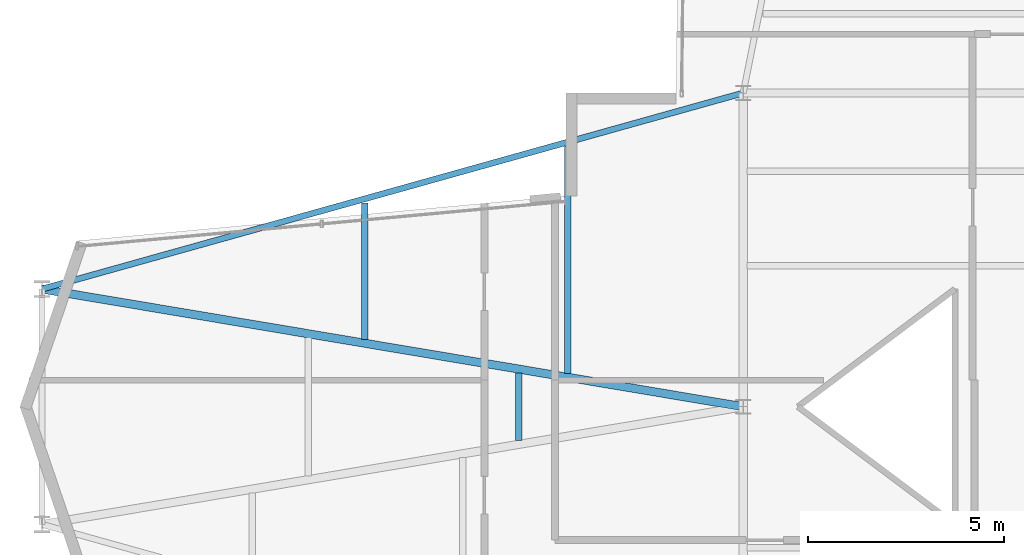
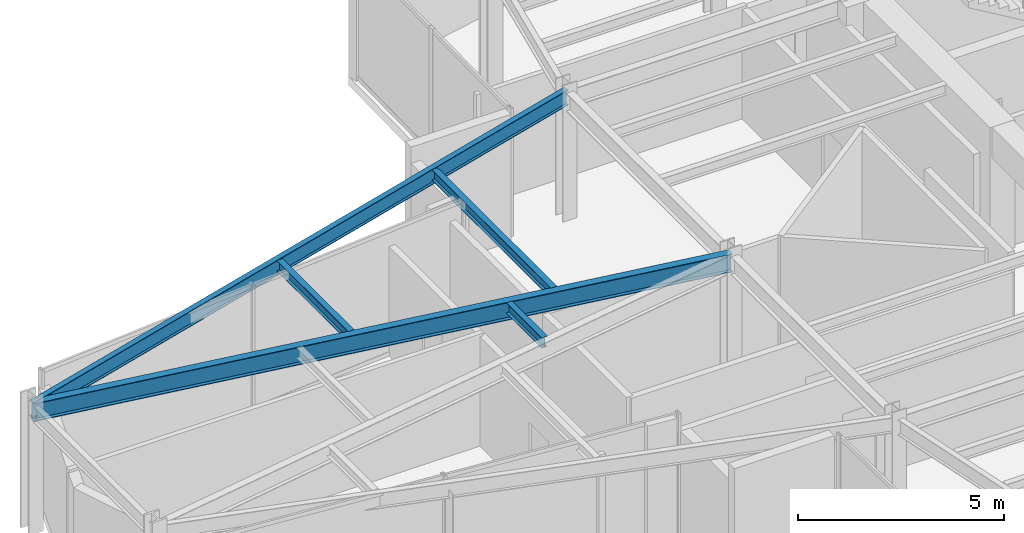
# One storey, part 10 of 22: 5 beams.
"""IFC4 building model written with IfcOpenShell, lengths in metres."""

from ifc_helpers import new_model, si_unit, direction, frame, origin, origin_2d, place, context, subcontext, project, spatial, i_section, extrude, material, material_profile, profile_set, type_object, element, save


model = new_model("IFC4")

# Units and contexts
model_context = context("Model", 3, precision=1e-05, world=origin(), true_north=direction((0.0, 1.0)))
body_context = subcontext(model_context, "Body", "Model", "MODEL_VIEW")
ifc_project = project(units=[si_unit("LENGTHUNIT", "METRE"), si_unit("AREAUNIT", "SQUARE_METRE"), si_unit("VOLUMEUNIT", "CUBIC_METRE"), si_unit("PLANEANGLEUNIT", "RADIAN"), si_unit("MASSUNIT", "GRAM", prefix="KILO")], contexts=[model_context])

# Site, building, storey
site_placement = place(None, origin())
site = spatial("IfcSite", under=ifc_project, at=site_placement, CompositionType="ELEMENT")
building_placement = place(site_placement, origin())
building = spatial("IfcBuilding", under=site, at=building_placement, Name="Veymaron Broadcast Tower", CompositionType="ELEMENT")
storey_placement = place(building_placement, frame((0.0, 0.0, 204.0)))
storey = spatial("IfcBuildingStorey", under=building, at=storey_placement, Name="L47", CompositionType="ELEMENT", Elevation=204.0)

# Beams
ifc_material = material(Name="Structural steel ASTM A992 Gr 50", Category="steel")
ifc_material_profile_1 = material_profile(ifc_material, i_section(OverallWidth=0.2099609375, OverallDepth=0.537109375, WebThickness=0.010986328125, FlangeThickness=0.017333984375, at=origin_2d()), Name="W530X101")
ifc_profile_set_1 = profile_set([ifc_material_profile_1], Name="Structural steel ASTM A992 Gr 50")
beam_type_1 = type_object("IfcBeamType", Name="BM-FG3", PredefinedType="BEAM", material=ifc_profile_set_1)
beam_1_placement = place(storey_placement, frame((13.320068359375, 27.0, 3.521484375), z_axis=(0.986214273988, -0.165473278152, 0.0), x_axis=(0.165473278152, 0.986214273988, 0.0)))
element("IfcBeam", 1, at=beam_1_placement, inside=storey, type_object=beam_type_1, Name="L47 primary structural floor girder", PredefinedType="BEAM", context=body_context, shape_type="SweptSolid", body=[
    extrude(i_section(OverallWidth=0.2099609375, OverallDepth=0.537109375, WebThickness=0.010986328125, FlangeThickness=0.017333984375, at=origin_2d()), origin(), (0.0, 0.0, 1.0), 18.1298828125),
])
ifc_material_profile_2 = material_profile(ifc_material, i_section(OverallWidth=0.1650390625, OverallDepth=0.31005859375, WebThickness=0.005859375, FlangeThickness=0.009765625, at=origin_2d()), Name="W310X39")
ifc_profile_set_2 = profile_set([ifc_material_profile_2], Name="Structural steel ASTM A992 Gr 50")
beam_type_2 = type_object("IfcBeamType", Name="BM-JS3", PredefinedType="JOIST", material=ifc_profile_set_2)
beam_2_placement = place(storey_placement, frame((21.544921875, 25.719970703125, 3.635009765625), z_axis=(0.0, 1.0, 0.0), x_axis=(-1.0, 0.0, 0.0)))
element("IfcBeam", 2, at=beam_2_placement, inside=storey, type_object=beam_type_2, Name="L47 Arm-A secondary joist 1N", PredefinedType="JOIST", context=body_context, shape_type="SweptSolid", body=[
    extrude(i_section(OverallWidth=0.1650390625, OverallDepth=0.31005859375, WebThickness=0.005859375, FlangeThickness=0.009765625, at=origin_2d()), origin(), (0.0, 0.0, 1.0), 3.47998046875),
])
beam_3_placement = place(storey_placement, frame((25.478515625, 23.139892578125, 3.635009765625), z_axis=(0.0, 1.0, 0.0), x_axis=(-1.0, 0.0, 0.0)))
element("IfcBeam", 3, at=beam_3_placement, inside=storey, type_object=beam_type_2, Name="L47 Arm-A secondary joist 2M", PredefinedType="JOIST", context=body_context, shape_type="SweptSolid", body=[
    extrude(i_section(OverallWidth=0.1650390625, OverallDepth=0.31005859375, WebThickness=0.005859375, FlangeThickness=0.009765625, at=origin_2d()), origin(), (0.0, 0.0, 1.0), 1.72021484375),
])
beam_4_placement = place(storey_placement, frame((26.72998046875, 24.85009765625, 3.635009765625), z_axis=(0.0, 1.0, 0.0), x_axis=(-1.0, 0.0, 0.0)))
element("IfcBeam", 4, at=beam_4_placement, inside=storey, type_object=beam_type_2, Name="L47 Arm-A secondary joist 2N", PredefinedType="JOIST", context=body_context, shape_type="SweptSolid", body=[
    extrude(i_section(OverallWidth=0.1650390625, OverallDepth=0.31005859375, WebThickness=0.005859375, FlangeThickness=0.009765625, at=origin_2d()), origin(), (0.0, 0.0, 1.0), 5.7998046875),
])
ifc_material_profile_3 = material_profile(ifc_material, i_section(OverallWidth=0.154052734375, OverallDepth=0.458984375, WebThickness=0.009033203125, FlangeThickness=0.015380859375, at=origin_2d()), Name="W460X68")
ifc_profile_set_3 = profile_set([ifc_material_profile_3], Name="Structural steel ASTM A992 Gr 50")
beam_type_3 = type_object("IfcBeamType", Name="BM-SP2", PredefinedType="SPANDREL", material=ifc_profile_set_3)
beam_5_placement = place(storey_placement, frame((13.320068359375, 27.0, 3.560546875), z_axis=(0.963053012566, 0.269311891656, 0.0), x_axis=(-0.269311891656, 0.963053012566, 0.0)))
element("IfcBeam", 5, at=beam_5_placement, inside=storey, type_object=beam_type_3, Name="L47 primary structural floor girder", PredefinedType="SPANDREL", context=body_context, shape_type="SweptSolid", body=[
    extrude(i_section(OverallWidth=0.154052734375, OverallDepth=0.458984375, WebThickness=0.009033203125, FlangeThickness=0.015380859375, at=origin_2d()), origin(), (0.0, 0.0, 1.0), 18.56591796875),
])

save(model, "model.ifc")
